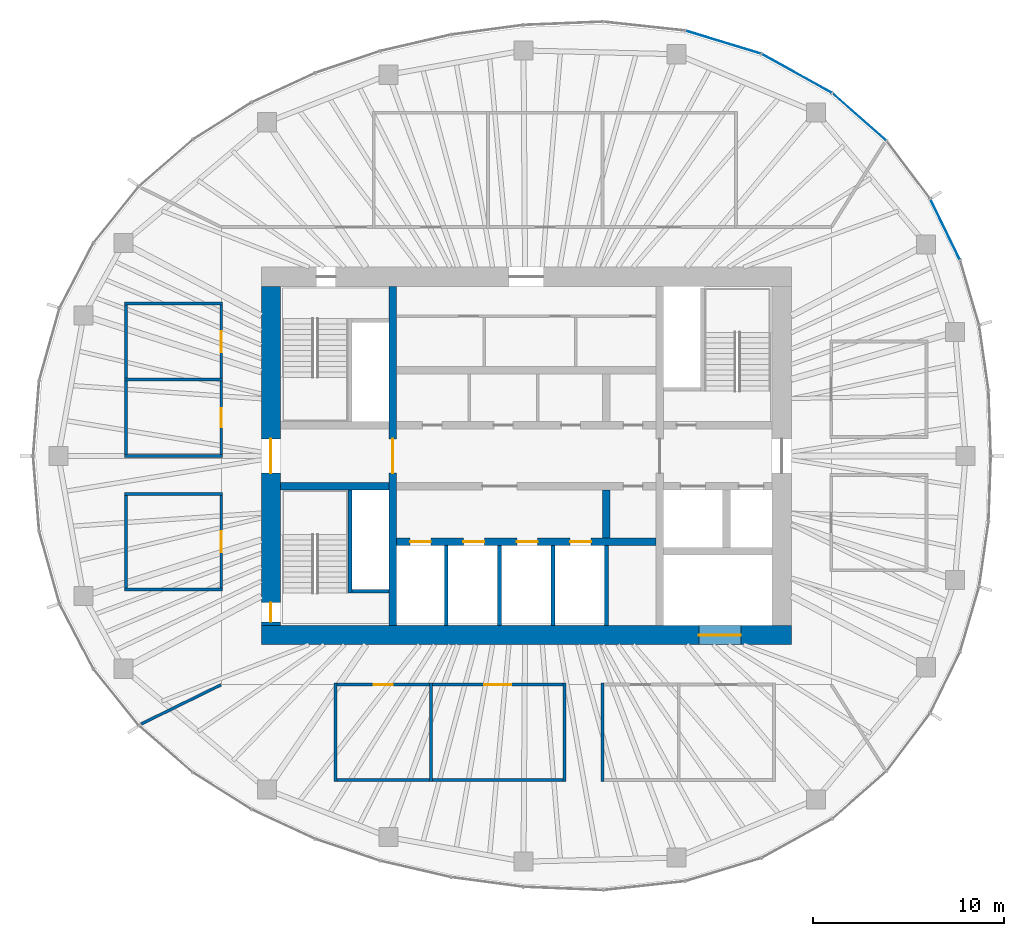
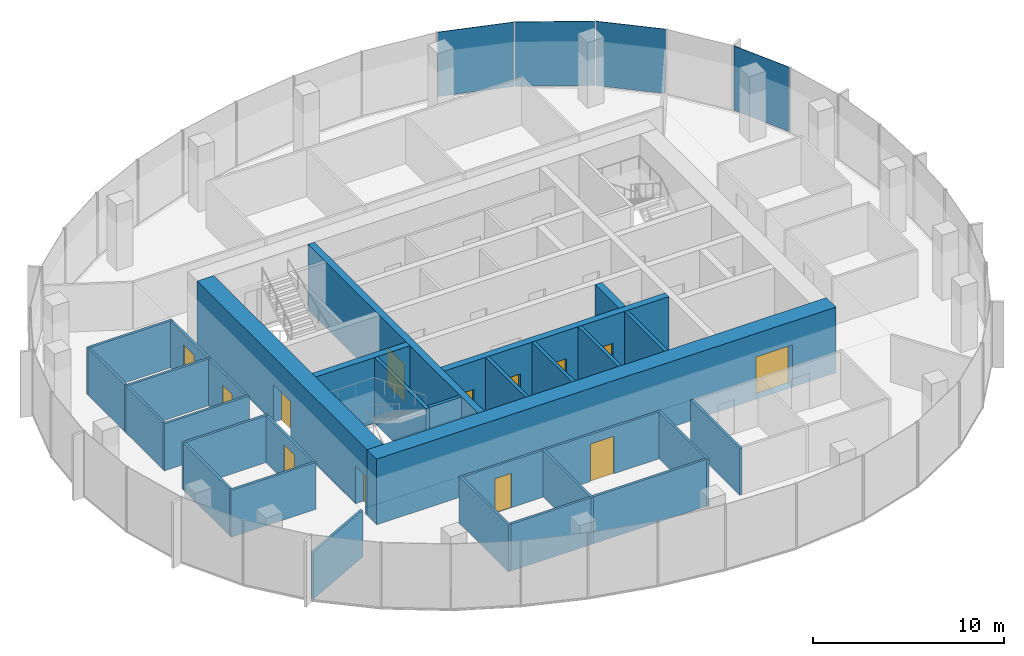
# One storey, part 8 of 11: 32 walls, 13 doors, 4 plates, 13 openings, 3 elements without a shape of their own.
"""IFC4 building model written with IfcOpenShell, lengths in metres."""

from ifc_helpers import new_model, si_unit, direction, frame, frame_2d, origin, origin_2d, place, context, subcontext, project, spatial, rectangle, extrude, material, layer, layer_set, type_object, element, fill, aggregate, save


model = new_model("IFC4")

# Units and contexts
model_context = context("Model", 3, precision=1e-05, world=origin(), true_north=direction((0.0, 1.0)))
body_context = subcontext(model_context, "Body", "Model", "MODEL_VIEW")
ifc_project = project(units=[si_unit("LENGTHUNIT", "METRE"), si_unit("AREAUNIT", "SQUARE_METRE"), si_unit("VOLUMEUNIT", "CUBIC_METRE"), si_unit("PLANEANGLEUNIT", "RADIAN"), si_unit("MASSUNIT", "GRAM", prefix="KILO")], contexts=[model_context])

# Site, building, storey
site_placement = place(None, origin())
site = spatial("IfcSite", under=ifc_project, at=site_placement, CompositionType="ELEMENT")
building_placement = place(site_placement, origin())
building = spatial("IfcBuilding", under=site, at=building_placement, Name="Ghaith Harvest Tower", CompositionType="ELEMENT")
storey_placement = place(building_placement, frame((0.0, 0.0, 317.39990234375)))
storey = spatial("IfcBuildingStorey", under=building, at=storey_placement, Name="L71", CompositionType="ELEMENT", Elevation=317.39990234375)

# Curtain wall, plate
ifc_material_1 = material(Name="Black anodised aluminium and fritted glass", Category="aluminium")
curtain_wall_type = type_object("IfcCurtainWallType", Name="CW-T CURTAIN WALL", PredefinedType="NOTDEFINED", material=ifc_material_1)
curtain_wall_1_placement = place(storey_placement, origin())
curtain_wall_1 = element("IfcCurtainWall", 1, at=curtain_wall_1_placement, inside=storey, type_object=curtain_wall_type, Name="Curtain wall CW-T bay 02 L71", PredefinedType="NOTDEFINED")
ifc_material_2 = material(Name="Glass, dark solar-control fritted double glazed unit", Category="glass")
ifc_layer_1 = layer(ifc_material_2, 0.033935546875)
ifc_layer_set_1 = layer_set([ifc_layer_1], Name="CW-T VISION PANEL")
plate_type = type_object("IfcPlateType", Name="CW-T VISION PANEL", PredefinedType="CURTAIN_PANEL", material=ifc_layer_set_1)
plate_1_placement = place(storey_placement, frame((21.9716796875, 11.878662109375, 0.080078125), z_axis=(0.0, 0.0, 1.0), x_axis=(-0.437968365148, 0.898990384337, 0.0)))
plate_1 = element("IfcPlate", 2, at=plate_1_placement, type_object=plate_type, Name="CW-T glass unit 2 bay 02 L71", PredefinedType="CURTAIN_PANEL", context=body_context, shape_type="SweptSolid", body=[
    extrude(rectangle(XDim=3.49365234375, YDim=0.033935546875, at=origin_2d()), origin(), (0.0, 0.0, 1.0), 4.1201171875),
])
aggregate(curtain_wall_1, [plate_1])

curtain_wall_2_placement = place(storey_placement, origin())
curtain_wall_2 = element("IfcCurtainWall", 3, at=curtain_wall_2_placement, inside=storey, type_object=curtain_wall_type, Name="Curtain wall CW-T bay 03 L71", PredefinedType="NOTDEFINED")
plate_2_placement = place(storey_placement, frame((17.47509765625, 17.779541015625, 0.080078125), z_axis=(0.0, 0.0, 1.0), x_axis=(-0.751334532416, 0.659921525941, 0.0)))
plate_2 = element("IfcPlate", 4, at=plate_2_placement, type_object=plate_type, Name="CW-T glass unit 2 bay 03 L71", PredefinedType="CURTAIN_PANEL", context=body_context, shape_type="SweptSolid", body=[
    extrude(rectangle(XDim=3.7158203125, YDim=0.033935546875, at=origin_2d()), origin(), (0.0, 0.0, 1.0), 4.1201171875),
])
aggregate(curtain_wall_2, [plate_2])

# Curtain wall, plates
curtain_wall_3_placement = place(storey_placement, origin())
curtain_wall_3 = element("IfcCurtainWall", 5, at=curtain_wall_3_placement, inside=storey, type_object=curtain_wall_type, Name="Curtain wall CW-T bay 04 L71", PredefinedType="NOTDEFINED")
plate_3_placement = place(storey_placement, frame((14.19189453125, 20.06201171875, 0.080078125), z_axis=(0.0, 0.0, 1.0), x_axis=(-0.87456402291, 0.484910063653, 0.0)))
plate_3 = element("IfcPlate", 6, at=plate_3_placement, type_object=plate_type, Name="CW-T glass unit 1 bay 04 L71", PredefinedType="CURTAIN_PANEL", context=body_context, shape_type="SweptSolid", body=[
    extrude(rectangle(XDim=4.167724609375, YDim=0.033935546875, at=origin_2d()), origin(), (0.0, 0.0, 1.0), 4.1201171875),
])
plate_4_placement = place(storey_placement, frame((10.337158203125, 21.700439453125, 0.080078125), z_axis=(0.0, 0.0, 1.0), x_axis=(-0.956587736124, 0.291444511181, 0.0)))
plate_4 = element("IfcPlate", 7, at=plate_4_placement, type_object=plate_type, Name="CW-T glass unit 2 bay 04 L71", PredefinedType="CURTAIN_PANEL", context=body_context, shape_type="SweptSolid", body=[
    extrude(rectangle(XDim=4.095703125, YDim=0.033935546875, at=origin_2d()), origin(), (0.0, 0.0, 1.0), 4.1201171875),
])
aggregate(curtain_wall_3, [plate_3, plate_4])

# Wall, opening, door
ifc_material_3 = material(Name="Concrete C50/60", Category="concrete")
ifc_layer_2 = layer(ifc_material_3, 1.0)
ifc_layer_set_2 = layer_set([ifc_layer_2], Name="CORE WALL CW1000")
wall_type_1 = type_object("IfcWallType", Name="CORE WALL CW1000", PredefinedType="SHEAR", material=ifc_layer_set_2)
wall_1_placement = place(storey_placement, frame((-13.89990234375, -9.39990234375, 0.0), z_axis=(0.0, 0.0, 1.0), x_axis=(1.0, 0.0, 0.0)))
wall_1 = element("IfcWall", 8, at=wall_1_placement, inside=storey, type_object=wall_type_1, Name="Core wall S L71", PredefinedType="SHEAR", context=body_context, shape_type="SweptSolid", body=[
    extrude(rectangle(XDim=27.7998046875, YDim=1.0, at=frame_2d((13.89990234375, 0.0))), origin(), (0.0, 0.0, 1.0), 4.2001953125),
])
opening_1_placement = place(wall_1_placement, frame((22.949951171875, 0.0, 0.0)))
opening_1 = element("IfcOpeningElement", 9, at=opening_1_placement, cuts=wall_1, Name="Opening 71-024", PredefinedType="OPENING", context=body_context, shape_type="SweptSolid", body=[
    extrude(rectangle(XDim=2.199951171875, YDim=2.699951171875, at=frame_2d((1.10009765625, 1.35009765625))), frame((0.0, 0.510009765625, 0.0), z_axis=(0.0, -1.0, 0.0), x_axis=(1.0, 0.0, 0.0)), (0.0, 0.0, 1.0), 1.02001953125),
])
ifc_material_4 = material(Name="Steel fire door", Category="steel")
door_type_1 = type_object("IfcDoorType", Name="LD3 LANDING 2200x2700", OperationType="DOUBLE_DOOR_SLIDING", PredefinedType="DOOR", material=ifc_material_4)
door_1_placement = place(opening_1_placement, origin())
door_1 = element("IfcDoor", 10, at=door_1_placement, inside=storey, type_object=door_type_1, Name="Landing door, goods lift GL1", OperationType="DOUBLE_DOOR_SLIDING", OverallHeight=2.699951171875, OverallWidth=2.199951171875, PredefinedType="DOOR", context=body_context, shape_type="SweptSolid", body=[
    extrude(rectangle(XDim=2.199951171875, YDim=2.699951171875, at=frame_2d((1.10009765625, 1.35009765625))), frame((0.0, 0.02490234375, 0.0), z_axis=(0.0, -1.0, 0.0), x_axis=(1.0, 0.0, 0.0)), (0.0, 0.0, 1.0), 0.050048828125),
])
fill(opening_1, door_1)

# Wall, openings, doors
wall_2_placement = place(storey_placement, frame((-13.39990234375, 8.89990234375, 0.0), z_axis=(0.0, 0.0, 1.0), x_axis=(0.0, -1.0, 0.0)))
wall_2 = element("IfcWall", 11, at=wall_2_placement, inside=storey, type_object=wall_type_1, Name="Core wall W L71", PredefinedType="SHEAR", context=body_context, shape_type="SweptSolid", body=[
    extrude(rectangle(XDim=17.7998046875, YDim=1.0, at=frame_2d((8.89990234375, 0.0))), origin(), (0.0, 0.0, 1.0), 4.2001953125),
])
opening_2_placement = place(wall_2_placement, frame((8.0, 0.0, 0.0)))
opening_2 = element("IfcOpeningElement", 12, at=opening_2_placement, cuts=wall_2, Name="Opening 71-001", PredefinedType="OPENING", context=body_context, shape_type="SweptSolid", body=[
    extrude(rectangle(XDim=1.800048828125, YDim=2.39990234375, at=frame_2d((0.89990234375, 1.199951171875))), frame((0.0, 0.510009765625, 0.0), z_axis=(0.0, -1.0, 0.0), x_axis=(1.0, 0.0, 0.0)), (0.0, 0.0, 1.0), 1.02001953125),
])
opening_3_placement = place(wall_2_placement, frame((16.60009765625, 0.0, 0.0)))
opening_3 = element("IfcOpeningElement", 13, at=opening_3_placement, cuts=wall_2, Name="Opening 71-006", PredefinedType="OPENING", context=body_context, shape_type="SweptSolid", body=[
    extrude(rectangle(XDim=1.0, YDim=2.39990234375, at=frame_2d((0.5, 1.199951171875))), frame((0.0, 0.510009765625, 0.0), z_axis=(0.0, -1.0, 0.0), x_axis=(1.0, 0.0, 0.0)), (0.0, 0.0, 1.0), 1.02001953125),
])
ifc_material_5 = material(Name="Steel fire door", Category="steel")
door_type_2 = type_object("IfcDoorType", Name="D3 FD90 1000x2400", OperationType="SINGLE_SWING_LEFT", PredefinedType="DOOR", material=ifc_material_5)
door_2_placement = place(opening_3_placement, origin())
door_2 = element("IfcDoor", 14, at=door_2_placement, inside=storey, type_object=door_type_2, Name="Stair ST3 door", OperationType="SINGLE_SWING_RIGHT", OverallHeight=2.39990234375, OverallWidth=1.0, PredefinedType="DOOR", context=body_context, shape_type="SweptSolid", body=[
    extrude(rectangle(XDim=1.0, YDim=2.39990234375, at=frame_2d((0.5, 1.199951171875))), frame((0.0, 0.02490234375, 0.0), z_axis=(0.0, -1.0, 0.0), x_axis=(1.0, 0.0, 0.0)), (0.0, 0.0, 1.0), 0.050048828125),
])
fill(opening_3, door_2)
ifc_material_6 = material(Name="Steel fire door", Category="steel")
door_type_3 = type_object("IfcDoorType", Name="D4 FD90 PAIR 1800x2400", OperationType="DOUBLE_DOOR_SINGLE_SWING", PredefinedType="DOOR", material=ifc_material_6)
door_3_placement = place(opening_2_placement, origin())
door_3 = element("IfcDoor", 15, at=door_3_placement, inside=storey, type_object=door_type_3, Name="West lobby doors", OperationType="DOUBLE_DOOR_SINGLE_SWING", OverallHeight=2.39990234375, OverallWidth=1.800048828125, PredefinedType="DOOR", context=body_context, shape_type="SweptSolid", body=[
    extrude(rectangle(XDim=1.800048828125, YDim=2.39990234375, at=frame_2d((0.89990234375, 1.199951171875))), frame((0.0, 0.02490234375, 0.0), z_axis=(0.0, -1.0, 0.0), x_axis=(1.0, 0.0, 0.0)), (0.0, 0.0, 1.0), 0.050048828125),
])
fill(opening_2, door_3)

# Walls
ifc_material_7 = material(Name="Concrete blockwork, 2-hour", Category="masonry")
ifc_layer_3 = layer(ifc_material_7, 0.199951171875)
ifc_layer_set_3 = layer_set([ifc_layer_3], Name="LIFT SHAFT WALL 200")
wall_type_2 = type_object("IfcWallType", Name="LIFT SHAFT WALL 200", PredefinedType="PARTITIONING", material=ifc_layer_set_3)
for number, where, z_axis, x_axis, name in (
    (16, (-4.199951171875, -4.699951171875, 0.0), (0.0, 0.0, 1.0), (0.0, -1.0, 0.0), "Lift shaft wall L71"),
    (17, (-1.39990234375, -4.699951171875, 0.0), (0.0, 0.0, 1.0), (0.0, -1.0, 0.0), "Lift shaft wall L71"),
    (18, (1.39990234375, -4.699951171875, 0.0), (0.0, 0.0, 1.0), (0.0, -1.0, 0.0), "Lift shaft wall L71"),
    (19, (4.199951171875, -4.699951171875, 0.0), (0.0, 0.0, 1.0), (0.0, -1.0, 0.0), "Lift shaft wall L71"),
):
    element("IfcWall", number, at=place(storey_placement, frame(where, z_axis=z_axis, x_axis=x_axis)), inside=storey, type_object=wall_type_2, Name=name, PredefinedType="PARTITIONING", context=body_context, shape_type="SweptSolid", body=[
        extrude(rectangle(XDim=4.199951171875, YDim=0.199951171875, at=frame_2d((2.10009765625, 0.0))), origin(), (0.0, 0.0, 1.0), 4.2001953125),
    ])
ifc_material_8 = material(Name="Gypsum board on steel studs", Category="steel")
ifc_layer_4 = layer(ifc_material_8, 0.14990234375)
ifc_layer_set_4 = layer_set([ifc_layer_4], Name="PARTITION 150")
wall_type_3 = type_object("IfcWallType", Name="PARTITION 150", PredefinedType="PARTITIONING", material=ifc_layer_set_4)
for number, where, z_axis, x_axis, name in (
    (20, (-10.0, -11.925048828125, 0.0), (0.0, 0.0, 1.0), (0.0, -1.0, 0.0), "Partition L71 row S2 cross wall 1"),
    (21, (-5.0, -11.925048828125, 0.0), (0.0, 0.0, 1.0), (0.0, -1.0, 0.0), "Partition L71 row S2 cross wall 2"),
    (22, (2.0, -11.925048828125, 0.0), (0.0, 0.0, 1.0), (0.0, -1.0, 0.0), "Partition L71 row S2 cross wall 3"),
):
    element("IfcWall", number, at=place(storey_placement, frame(where, z_axis=z_axis, x_axis=x_axis)), inside=storey, type_object=wall_type_3, Name=name, PredefinedType="PARTITIONING", context=body_context, shape_type="SweptSolid", body=[
        extrude(rectangle(XDim=5.14990234375, YDim=0.14990234375, at=frame_2d((2.574951171875, 0.0))), origin(), (0.0, 0.0, 1.0), 3.0),
    ])

# Wall, opening, door
wall_3_placement = place(storey_placement, frame((-9.925048828125, -12.0, 0.0), z_axis=(0.0, 0.0, 1.0), x_axis=(1.0, 0.0, 0.0)))
wall_3 = element("IfcWall", 23, at=wall_3_placement, inside=storey, type_object=wall_type_3, Name="Partition L71-04", PredefinedType="PARTITIONING", context=body_context, shape_type="SweptSolid", body=[
    extrude(rectangle(XDim=4.85009765625, YDim=0.14990234375, at=frame_2d((2.425048828125, 0.0))), origin(), (0.0, 0.0, 1.0), 3.0),
])
opening_4_placement = place(wall_3_placement, frame((1.925048828125, 0.0, 0.0)))
opening_4 = element("IfcOpeningElement", 24, at=opening_4_placement, cuts=wall_3, Name="Opening 71-028", PredefinedType="OPENING", context=body_context, shape_type="SweptSolid", body=[
    extrude(rectangle(XDim=1.0, YDim=2.199951171875, at=frame_2d((0.5, 1.10009765625))), frame((0.0, 0.0849609375, 0.0), z_axis=(0.0, -1.0, 0.0), x_axis=(1.0, 0.0, 0.0)), (0.0, 0.0, 1.0), 0.169921875),
])
ifc_material_9 = material(Name="Timber door", Category="wood")
door_type_4 = type_object("IfcDoorType", Name="D1 SINGLE 1000x2200", OperationType="SINGLE_SWING_LEFT", PredefinedType="DOOR", material=ifc_material_9)
door_4_placement = place(opening_4_placement, origin())
door_4 = element("IfcDoor", 25, at=door_4_placement, inside=storey, type_object=door_type_4, Name="Drying room door", OperationType="SINGLE_SWING_LEFT", OverallHeight=2.199951171875, OverallWidth=1.0, PredefinedType="DOOR", context=body_context, shape_type="SweptSolid", body=[
    extrude(rectangle(XDim=1.0, YDim=2.199951171875, at=frame_2d((0.5, 1.10009765625))), frame((0.0, 0.02490234375, 0.0), z_axis=(0.0, -1.0, 0.0), x_axis=(1.0, 0.0, 0.0)), (0.0, 0.0, 1.0), 0.050048828125),
])
fill(opening_4, door_4)

# Wall
wall_4_placement = place(storey_placement, frame((-9.925048828125, -17.0, 0.0), z_axis=(0.0, 0.0, 1.0), x_axis=(1.0, 0.0, 0.0)))
element("IfcWall", 26, at=wall_4_placement, inside=storey, type_object=wall_type_3, Name="Partition L71-04", PredefinedType="PARTITIONING", context=body_context, shape_type="SweptSolid", body=[
    extrude(rectangle(XDim=4.85009765625, YDim=0.14990234375, at=frame_2d((2.425048828125, 0.0))), origin(), (0.0, 0.0, 1.0), 3.0),
])

# Wall, opening, door
wall_5_placement = place(storey_placement, frame((-4.925048828125, -12.0, 0.0), z_axis=(0.0, 0.0, 1.0), x_axis=(1.0, 0.0, 0.0)))
wall_5 = element("IfcWall", 27, at=wall_5_placement, inside=storey, type_object=wall_type_3, Name="Partition L71-05", PredefinedType="PARTITIONING", context=body_context, shape_type="SweptSolid", body=[
    extrude(rectangle(XDim=6.85009765625, YDim=0.14990234375, at=frame_2d((3.425048828125, 0.0))), origin(), (0.0, 0.0, 1.0), 3.0),
])
opening_5_placement = place(wall_5_placement, frame((2.72509765625, 0.0, 0.0)))
opening_5 = element("IfcOpeningElement", 28, at=opening_5_placement, cuts=wall_5, Name="Opening 71-029", PredefinedType="OPENING", context=body_context, shape_type="SweptSolid", body=[
    extrude(rectangle(XDim=1.39990234375, YDim=2.39990234375, at=frame_2d((0.699951171875, 1.199951171875))), frame((0.0, 0.0849609375, 0.0), z_axis=(0.0, -1.0, 0.0), x_axis=(1.0, 0.0, 0.0)), (0.0, 0.0, 1.0), 0.169921875),
])
ifc_material_10 = material(Name="Stainless steel faced door pair", Category="steel")
door_type_5 = type_object("IfcDoorType", Name="D14 HYGIENE PAIR 1400x2400", OperationType="DOUBLE_DOOR_DOUBLE_SWING", PredefinedType="DOOR", material=ifc_material_10)
door_5_placement = place(opening_5_placement, origin())
door_5 = element("IfcDoor", 29, at=door_5_placement, inside=storey, type_object=door_type_5, Name="Packing room door", OperationType="DOUBLE_DOOR_DOUBLE_SWING", OverallHeight=2.39990234375, OverallWidth=1.39990234375, PredefinedType="DOOR", context=body_context, shape_type="SweptSolid", body=[
    extrude(rectangle(XDim=1.39990234375, YDim=2.39990234375, at=frame_2d((0.699951171875, 1.199951171875))), frame((0.0, 0.02490234375, 0.0), z_axis=(0.0, -1.0, 0.0), x_axis=(1.0, 0.0, 0.0)), (0.0, 0.0, 1.0), 0.050048828125),
])
fill(opening_5, door_5)

# Walls
wall_6_placement = place(storey_placement, frame((-4.925048828125, -17.0, 0.0), z_axis=(0.0, 0.0, 1.0), x_axis=(1.0, 0.0, 0.0)))
element("IfcWall", 30, at=wall_6_placement, inside=storey, type_object=wall_type_3, Name="Partition L71-05", PredefinedType="PARTITIONING", context=body_context, shape_type="SweptSolid", body=[
    extrude(rectangle(XDim=6.85009765625, YDim=0.14990234375, at=frame_2d((3.425048828125, 0.0))), origin(), (0.0, 0.0, 1.0), 3.0),
])
for number, where, z_axis, x_axis, name in (
    (31, (4.0, -11.925048828125, 0.0), (0.0, 0.0, 1.0), (0.0, -1.0, 0.0), "Partition L71 row S3 cross wall 1"),
    (32, (-15.925048828125, -7.0, 0.0), (0.0, 0.0, 1.0), (-1.0, 0.0, 0.0), "Partition L71 row W4 cross wall 1"),
    (33, (-15.925048828125, -2.0, 0.0), (0.0, 0.0, 1.0), (-1.0, 0.0, 0.0), "Partition L71 row W4 cross wall 2"),
):
    element("IfcWall", number, at=place(storey_placement, frame(where, z_axis=z_axis, x_axis=x_axis)), inside=storey, type_object=wall_type_3, Name=name, PredefinedType="PARTITIONING", context=body_context, shape_type="SweptSolid", body=[
        extrude(rectangle(XDim=5.14990234375, YDim=0.14990234375, at=frame_2d((2.574951171875, 0.0))), origin(), (0.0, 0.0, 1.0), 3.0),
    ])

# Wall, opening, door
wall_7_placement = place(storey_placement, frame((-16.0, -6.925048828125, 0.0), z_axis=(0.0, 0.0, 1.0), x_axis=(0.0, 1.0, 0.0)))
wall_7 = element("IfcWall", 34, at=wall_7_placement, inside=storey, type_object=wall_type_3, Name="Partition L71-08", PredefinedType="PARTITIONING", context=body_context, shape_type="SweptSolid", body=[
    extrude(rectangle(XDim=4.85009765625, YDim=0.14990234375, at=frame_2d((2.425048828125, 0.0))), origin(), (0.0, 0.0, 1.0), 3.0),
])
opening_6_placement = place(wall_7_placement, frame((1.875, 0.0, 0.0)))
opening_6 = element("IfcOpeningElement", 35, at=opening_6_placement, cuts=wall_7, Name="Opening 71-032", PredefinedType="OPENING", context=body_context, shape_type="SweptSolid", body=[
    extrude(rectangle(XDim=1.10009765625, YDim=2.300048828125, at=frame_2d((0.550048828125, 1.14990234375))), frame((0.0, 0.0849609375, 0.0), z_axis=(0.0, -1.0, 0.0), x_axis=(1.0, 0.0, 0.0)), (0.0, 0.0, 1.0), 0.169921875),
])
ifc_material_11 = material(Name="Timber-framed glazed door", Category="wood")
door_type_6 = type_object("IfcDoorType", Name="D12 GLAZED OFFICE 1100x2300", OperationType="SINGLE_SWING_LEFT", PredefinedType="DOOR", material=ifc_material_11)
door_6_placement = place(opening_6_placement, origin())
door_6 = element("IfcDoor", 36, at=door_6_placement, inside=storey, type_object=door_type_6, Name="Spice sales office door", OperationType="SINGLE_SWING_LEFT", OverallHeight=2.300048828125, OverallWidth=1.10009765625, PredefinedType="DOOR", context=body_context, shape_type="SweptSolid", body=[
    extrude(rectangle(XDim=1.10009765625, YDim=2.300048828125, at=frame_2d((0.550048828125, 1.14990234375))), frame((0.0, 0.02490234375, 0.0), z_axis=(0.0, -1.0, 0.0), x_axis=(1.0, 0.0, 0.0)), (0.0, 0.0, 1.0), 0.050048828125),
])
fill(opening_6, door_6)

# Walls
wall_8_placement = place(storey_placement, frame((-21.0, -6.925048828125, 0.0), z_axis=(0.0, 0.0, 1.0), x_axis=(0.0, 1.0, 0.0)))
element("IfcWall", 37, at=wall_8_placement, inside=storey, type_object=wall_type_3, Name="Partition L71-08", PredefinedType="PARTITIONING", context=body_context, shape_type="SweptSolid", body=[
    extrude(rectangle(XDim=4.85009765625, YDim=0.14990234375, at=frame_2d((2.425048828125, 0.0))), origin(), (0.0, 0.0, 1.0), 3.0),
])
for number, where, z_axis, x_axis, name in (
    (38, (-15.925048828125, 0.0, 0.0), (0.0, 0.0, 1.0), (-1.0, 0.0, 0.0), "Partition L71 row W7 cross wall 1"),
    (39, (-15.925048828125, 4.0, 0.0), (0.0, 0.0, 1.0), (-1.0, 0.0, 0.0), "Partition L71 row W7 cross wall 2"),
    (40, (-15.925048828125, 8.0, 0.0), (0.0, 0.0, 1.0), (-1.0, 0.0, 0.0), "Partition L71 row W7 cross wall 3"),
):
    element("IfcWall", number, at=place(storey_placement, frame(where, z_axis=z_axis, x_axis=x_axis)), inside=storey, type_object=wall_type_3, Name=name, PredefinedType="PARTITIONING", context=body_context, shape_type="SweptSolid", body=[
        extrude(rectangle(XDim=5.14990234375, YDim=0.14990234375, at=frame_2d((2.574951171875, 0.0))), origin(), (0.0, 0.0, 1.0), 3.0),
    ])

# Wall, opening, door
wall_9_placement = place(storey_placement, frame((-16.0, 0.074951171875, 0.0), z_axis=(0.0, 0.0, 1.0), x_axis=(0.0, 1.0, 0.0)))
wall_9 = element("IfcWall", 41, at=wall_9_placement, inside=storey, type_object=wall_type_3, Name="Partition L71-11", PredefinedType="PARTITIONING", context=body_context, shape_type="SweptSolid", body=[
    extrude(rectangle(XDim=3.85009765625, YDim=0.14990234375, at=frame_2d((1.925048828125, 0.0))), origin(), (0.0, 0.0, 1.0), 3.0),
])
opening_7_placement = place(wall_9_placement, frame((1.425048828125, 0.0, 0.0)))
opening_7 = element("IfcOpeningElement", 42, at=opening_7_placement, cuts=wall_9, Name="Opening 71-035", PredefinedType="OPENING", context=body_context, shape_type="SweptSolid", body=[
    extrude(rectangle(XDim=1.0, YDim=2.199951171875, at=frame_2d((0.5, 1.10009765625))), frame((0.0, 0.0849609375, 0.0), z_axis=(0.0, -1.0, 0.0), x_axis=(1.0, 0.0, 0.0)), (0.0, 0.0, 1.0), 0.169921875),
])
door_7_placement = place(opening_7_placement, origin())
door_7 = element("IfcDoor", 43, at=door_7_placement, inside=storey, type_object=door_type_4, Name="Grinding room door", OperationType="SINGLE_SWING_LEFT", OverallHeight=2.199951171875, OverallWidth=1.0, PredefinedType="DOOR", context=body_context, shape_type="SweptSolid", body=[
    extrude(rectangle(XDim=1.0, YDim=2.199951171875, at=frame_2d((0.5, 1.10009765625))), frame((0.0, 0.02490234375, 0.0), z_axis=(0.0, -1.0, 0.0), x_axis=(1.0, 0.0, 0.0)), (0.0, 0.0, 1.0), 0.050048828125),
])
fill(opening_7, door_7)

# Wall
wall_10_placement = place(storey_placement, frame((-21.0, 0.074951171875, 0.0), z_axis=(0.0, 0.0, 1.0), x_axis=(0.0, 1.0, 0.0)))
element("IfcWall", 44, at=wall_10_placement, inside=storey, type_object=wall_type_3, Name="Partition L71-11", PredefinedType="PARTITIONING", context=body_context, shape_type="SweptSolid", body=[
    extrude(rectangle(XDim=3.85009765625, YDim=0.14990234375, at=frame_2d((1.925048828125, 0.0))), origin(), (0.0, 0.0, 1.0), 3.0),
])

# Wall, opening, door
wall_11_placement = place(storey_placement, frame((-16.0, 4.074951171875, 0.0), z_axis=(0.0, 0.0, 1.0), x_axis=(0.0, 1.0, 0.0)))
wall_11 = element("IfcWall", 45, at=wall_11_placement, inside=storey, type_object=wall_type_3, Name="Partition L71-12", PredefinedType="PARTITIONING", context=body_context, shape_type="SweptSolid", body=[
    extrude(rectangle(XDim=3.85009765625, YDim=0.14990234375, at=frame_2d((1.925048828125, 0.0))), origin(), (0.0, 0.0, 1.0), 3.0),
])
opening_8_placement = place(wall_11_placement, frame((1.375, 0.0, 0.0)))
opening_8 = element("IfcOpeningElement", 46, at=opening_8_placement, cuts=wall_11, Name="Opening 71-036", PredefinedType="OPENING", context=body_context, shape_type="SweptSolid", body=[
    extrude(rectangle(XDim=1.10009765625, YDim=2.300048828125, at=frame_2d((0.550048828125, 1.14990234375))), frame((0.0, 0.0849609375, 0.0), z_axis=(0.0, -1.0, 0.0), x_axis=(1.0, 0.0, 0.0)), (0.0, 0.0, 1.0), 0.169921875),
])
door_8_placement = place(opening_8_placement, origin())
door_8 = element("IfcDoor", 47, at=door_8_placement, inside=storey, type_object=door_type_6, Name="Export office door", OperationType="SINGLE_SWING_LEFT", OverallHeight=2.300048828125, OverallWidth=1.10009765625, PredefinedType="DOOR", context=body_context, shape_type="SweptSolid", body=[
    extrude(rectangle(XDim=1.10009765625, YDim=2.300048828125, at=frame_2d((0.550048828125, 1.14990234375))), frame((0.0, 0.02490234375, 0.0), z_axis=(0.0, -1.0, 0.0), x_axis=(1.0, 0.0, 0.0)), (0.0, 0.0, 1.0), 0.050048828125),
])
fill(opening_8, door_8)

# Walls
wall_12_placement = place(storey_placement, frame((-21.0, 4.074951171875, 0.0), z_axis=(0.0, 0.0, 1.0), x_axis=(0.0, 1.0, 0.0)))
element("IfcWall", 48, at=wall_12_placement, inside=storey, type_object=wall_type_3, Name="Partition L71-12", PredefinedType="PARTITIONING", context=body_context, shape_type="SweptSolid", body=[
    extrude(rectangle(XDim=3.85009765625, YDim=0.14990234375, at=frame_2d((1.925048828125, 0.0))), origin(), (0.0, 0.0, 1.0), 3.0),
])
wall_13_placement = place(storey_placement, frame((-16.017822265625, -12.0087890625, 0.0), z_axis=(0.0, 0.0, 1.0), x_axis=(-0.897771840996, -0.440460805879, 0.0)))
element("IfcWall", 49, at=wall_13_placement, inside=storey, type_object=wall_type_3, Name="Partition L71 zone division", PredefinedType="PARTITIONING", context=body_context, shape_type="SweptSolid", body=[
    extrude(rectangle(XDim=4.66552734375, YDim=0.14990234375, at=frame_2d((2.332763671875, 0.0))), origin(), (0.0, 0.0, 1.0), 3.0),
])

# Wall, opening, door
ifc_material_12 = material(Name="Concrete C70/85", Category="concrete")
ifc_layer_5 = layer(ifc_material_12, 0.39990234375)
ifc_layer_set_5 = layer_set([ifc_layer_5], Name="SHAFT WALL 400")
wall_type_4 = type_object("IfcWallType", Name="SHAFT WALL 400", PredefinedType="SHEAR", material=ifc_layer_set_5)
wall_14_placement = place(storey_placement, frame((-7.0, -8.89990234375, 0.0), z_axis=(0.0, 0.0, 1.0), x_axis=(0.0, 1.0, 0.0)))
wall_14 = element("IfcWall", 50, at=wall_14_placement, inside=storey, type_object=wall_type_4, Name="Shaft wall W7W L71", PredefinedType="SHEAR", context=body_context, shape_type="SweptSolid", body=[
    extrude(rectangle(XDim=17.7998046875, YDim=0.39990234375, at=frame_2d((8.89990234375, 0.0))), origin(), (0.0, 0.0, 1.0), 4.2001953125),
])
opening_9_placement = place(wall_14_placement, frame((8.0, 0.0, 0.0)))
opening_9 = element("IfcOpeningElement", 51, at=opening_9_placement, cuts=wall_14, Name="Opening 71-003", PredefinedType="OPENING", context=body_context, shape_type="SweptSolid", body=[
    extrude(rectangle(XDim=1.800048828125, YDim=2.39990234375, at=frame_2d((0.89990234375, 1.199951171875))), frame((0.0, 0.2099609375, 0.0), z_axis=(0.0, -1.0, 0.0), x_axis=(1.0, 0.0, 0.0)), (0.0, 0.0, 1.0), 0.419921875),
])
door_9_placement = place(opening_9_placement, origin())
door_9 = element("IfcDoor", 52, at=door_9_placement, inside=storey, type_object=door_type_3, Name="Lift lobby doors, west", OperationType="DOUBLE_DOOR_SINGLE_SWING", OverallHeight=2.39990234375, OverallWidth=1.800048828125, PredefinedType="DOOR", context=body_context, shape_type="SweptSolid", body=[
    extrude(rectangle(XDim=1.800048828125, YDim=2.39990234375, at=frame_2d((0.89990234375, 1.199951171875))), frame((0.0, 0.02490234375, 0.0), z_axis=(0.0, -1.0, 0.0), x_axis=(1.0, 0.0, 0.0)), (0.0, 0.0, 1.0), 0.050048828125),
])
fill(opening_9, door_9)

# Wall, openings, doors
wall_15_placement = place(storey_placement, frame((-6.800048828125, -4.5, 0.0), z_axis=(0.0, 0.0, 1.0), x_axis=(1.0, 0.0, 0.0)))
wall_15 = element("IfcWall", 53, at=wall_15_placement, inside=storey, type_object=wall_type_4, Name="Shaft wall BS L71", PredefinedType="SHEAR", context=body_context, shape_type="SweptSolid", body=[
    extrude(rectangle(XDim=13.60009765625, YDim=0.39990234375, at=frame_2d((6.800048828125, 0.0))), origin(), (0.0, 0.0, 1.0), 4.2001953125),
])
opening_10_placement = place(wall_15_placement, frame((0.699951171875, 0.0, 0.0)))
opening_10 = element("IfcOpeningElement", 54, at=opening_10_placement, cuts=wall_15, Name="Opening 71-018", PredefinedType="OPENING", context=body_context, shape_type="SweptSolid", body=[
    extrude(rectangle(XDim=1.10009765625, YDim=2.39990234375, at=frame_2d((0.550048828125, 1.199951171875))), frame((0.0, 0.2099609375, 0.0), z_axis=(0.0, -1.0, 0.0), x_axis=(1.0, 0.0, 0.0)), (0.0, 0.0, 1.0), 0.419921875),
])
opening_11_placement = place(wall_15_placement, frame((3.5, 0.0, 0.0)))
opening_11 = element("IfcOpeningElement", 55, at=opening_11_placement, cuts=wall_15, Name="Opening 71-019", PredefinedType="OPENING", context=body_context, shape_type="SweptSolid", body=[
    extrude(rectangle(XDim=1.10009765625, YDim=2.39990234375, at=frame_2d((0.550048828125, 1.199951171875))), frame((0.0, 0.2099609375, 0.0), z_axis=(0.0, -1.0, 0.0), x_axis=(1.0, 0.0, 0.0)), (0.0, 0.0, 1.0), 0.419921875),
])
opening_12_placement = place(wall_15_placement, frame((6.300048828125, 0.0, 0.0)))
opening_12 = element("IfcOpeningElement", 56, at=opening_12_placement, cuts=wall_15, Name="Opening 71-020", PredefinedType="OPENING", context=body_context, shape_type="SweptSolid", body=[
    extrude(rectangle(XDim=1.10009765625, YDim=2.39990234375, at=frame_2d((0.550048828125, 1.199951171875))), frame((0.0, 0.2099609375, 0.0), z_axis=(0.0, -1.0, 0.0), x_axis=(1.0, 0.0, 0.0)), (0.0, 0.0, 1.0), 0.419921875),
])
opening_13_placement = place(wall_15_placement, frame((9.10009765625, 0.0, 0.0)))
opening_13 = element("IfcOpeningElement", 57, at=opening_13_placement, cuts=wall_15, Name="Opening 71-021", PredefinedType="OPENING", context=body_context, shape_type="SweptSolid", body=[
    extrude(rectangle(XDim=1.10009765625, YDim=2.39990234375, at=frame_2d((0.550048828125, 1.199951171875))), frame((0.0, 0.2099609375, 0.0), z_axis=(0.0, -1.0, 0.0), x_axis=(1.0, 0.0, 0.0)), (0.0, 0.0, 1.0), 0.419921875),
])
ifc_material_13 = material(Name="Steel fire door", Category="steel")
door_type_7 = type_object("IfcDoorType", Name="LD1 LANDING 1100x2400", OperationType="DOUBLE_DOOR_SLIDING", PredefinedType="DOOR", material=ifc_material_13)
door_10_placement = place(opening_10_placement, origin())
door_10 = element("IfcDoor", 58, at=door_10_placement, inside=storey, type_object=door_type_7, Name="Landing door, lift TR1", OperationType="DOUBLE_DOOR_SLIDING", OverallHeight=2.39990234375, OverallWidth=1.10009765625, PredefinedType="DOOR", context=body_context, shape_type="SweptSolid", body=[
    extrude(rectangle(XDim=1.10009765625, YDim=2.39990234375, at=frame_2d((0.550048828125, 1.199951171875))), frame((0.0, 0.02490234375, 0.0), z_axis=(0.0, -1.0, 0.0), x_axis=(1.0, 0.0, 0.0)), (0.0, 0.0, 1.0), 0.050048828125),
])
fill(opening_10, door_10)
door_11_placement = place(opening_11_placement, origin())
door_11 = element("IfcDoor", 59, at=door_11_placement, inside=storey, type_object=door_type_7, Name="Landing door, lift TR2", OperationType="DOUBLE_DOOR_SLIDING", OverallHeight=2.39990234375, OverallWidth=1.10009765625, PredefinedType="DOOR", context=body_context, shape_type="SweptSolid", body=[
    extrude(rectangle(XDim=1.10009765625, YDim=2.39990234375, at=frame_2d((0.550048828125, 1.199951171875))), frame((0.0, 0.02490234375, 0.0), z_axis=(0.0, -1.0, 0.0), x_axis=(1.0, 0.0, 0.0)), (0.0, 0.0, 1.0), 0.050048828125),
])
fill(opening_11, door_11)
door_12_placement = place(opening_12_placement, origin())
door_12 = element("IfcDoor", 60, at=door_12_placement, inside=storey, type_object=door_type_7, Name="Landing door, lift TR3", OperationType="DOUBLE_DOOR_SLIDING", OverallHeight=2.39990234375, OverallWidth=1.10009765625, PredefinedType="DOOR", context=body_context, shape_type="SweptSolid", body=[
    extrude(rectangle(XDim=1.10009765625, YDim=2.39990234375, at=frame_2d((0.550048828125, 1.199951171875))), frame((0.0, 0.02490234375, 0.0), z_axis=(0.0, -1.0, 0.0), x_axis=(1.0, 0.0, 0.0)), (0.0, 0.0, 1.0), 0.050048828125),
])
fill(opening_12, door_12)
door_13_placement = place(opening_13_placement, origin())
door_13 = element("IfcDoor", 61, at=door_13_placement, inside=storey, type_object=door_type_7, Name="Landing door, lift TR4", OperationType="DOUBLE_DOOR_SLIDING", OverallHeight=2.39990234375, OverallWidth=1.10009765625, PredefinedType="DOOR", context=body_context, shape_type="SweptSolid", body=[
    extrude(rectangle(XDim=1.10009765625, YDim=2.39990234375, at=frame_2d((0.550048828125, 1.199951171875))), frame((0.0, 0.02490234375, 0.0), z_axis=(0.0, -1.0, 0.0), x_axis=(1.0, 0.0, 0.0)), (0.0, 0.0, 1.0), 0.050048828125),
])
fill(opening_13, door_13)

# Walls
wall_16_placement = place(storey_placement, frame((-12.89990234375, -1.60009765625, 0.0), z_axis=(0.0, 0.0, 1.0), x_axis=(1.0, 0.0, 0.0)))
element("IfcWall", 62, at=wall_16_placement, inside=storey, type_object=wall_type_4, Name="Shaft wall WS L71", PredefinedType="SHEAR", context=body_context, shape_type="SweptSolid", body=[
    extrude(rectangle(XDim=5.699951171875, YDim=0.39990234375, at=frame_2d((2.85009765625, 0.0))), origin(), (0.0, 0.0, 1.0), 4.2001953125),
])
wall_17_placement = place(storey_placement, frame((4.199951171875, -4.300048828125, 0.0), z_axis=(0.0, 0.0, 1.0), x_axis=(0.0, 1.0, 0.0)))
element("IfcWall", 63, at=wall_17_placement, inside=storey, type_object=wall_type_4, Name="Shaft wall DS4 L71", PredefinedType="SHEAR", context=body_context, shape_type="SweptSolid", body=[
    extrude(rectangle(XDim=2.5, YDim=0.39990234375, at=frame_2d((1.25, 0.0))), origin(), (0.0, 0.0, 1.0), 4.2001953125),
])
ifc_material_14 = material(Name="Concrete C40/50", Category="concrete")
ifc_layer_6 = layer(ifc_material_14, 0.199951171875)
ifc_layer_set_6 = layer_set([ifc_layer_6], Name="STAIR SPINE WALL RC200")
wall_type_5 = type_object("IfcWallType", Name="STAIR SPINE WALL RC200", PredefinedType="SOLIDWALL", material=ifc_layer_set_6)
wall_18_placement = place(storey_placement, frame((-9.25, -7.199951171875, 0.0), z_axis=(0.0, 0.0, 1.0), x_axis=(0.0, 1.0, 0.0)))
element("IfcWall", 64, at=wall_18_placement, inside=storey, type_object=wall_type_5, Name="Stair ST3 spine wall L71", PredefinedType="SOLIDWALL", context=body_context, shape_type="SweptSolid", body=[
    extrude(rectangle(XDim=5.39990234375, YDim=0.199951171875, at=frame_2d((2.699951171875, 0.0))), origin(), (0.0, 0.0, 1.0), 4.2001953125),
])
wall_19_placement = place(storey_placement, frame((-9.14990234375, -7.10009765625, 0.0), z_axis=(0.0, 0.0, 1.0), x_axis=(1.0, 0.0, 0.0)))
element("IfcWall", 65, at=wall_19_placement, inside=storey, type_object=wall_type_5, Name="Stair ST3 spine wall return L71", PredefinedType="SOLIDWALL", context=body_context, shape_type="SweptSolid", body=[
    extrude(rectangle(XDim=1.949951171875, YDim=0.199951171875, at=frame_2d((0.97509765625, 0.0))), origin(), (0.0, 0.0, 1.0), 4.2001953125),
])

save(model, "model.ifc")
